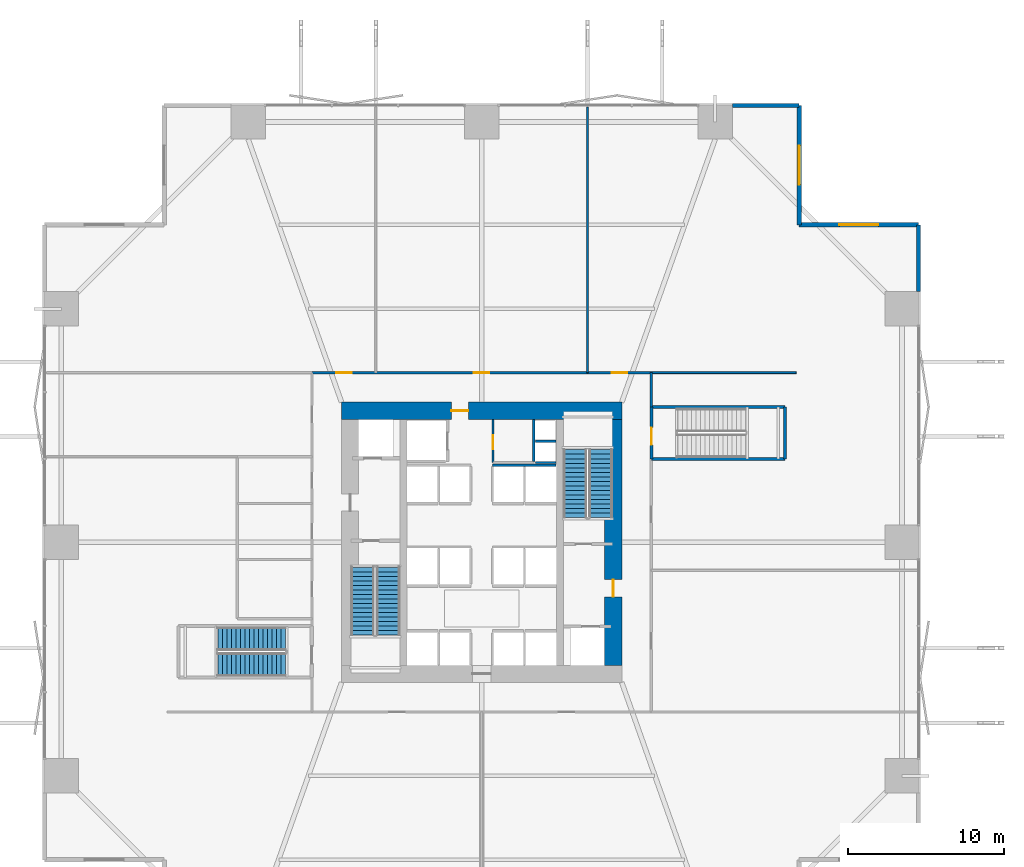
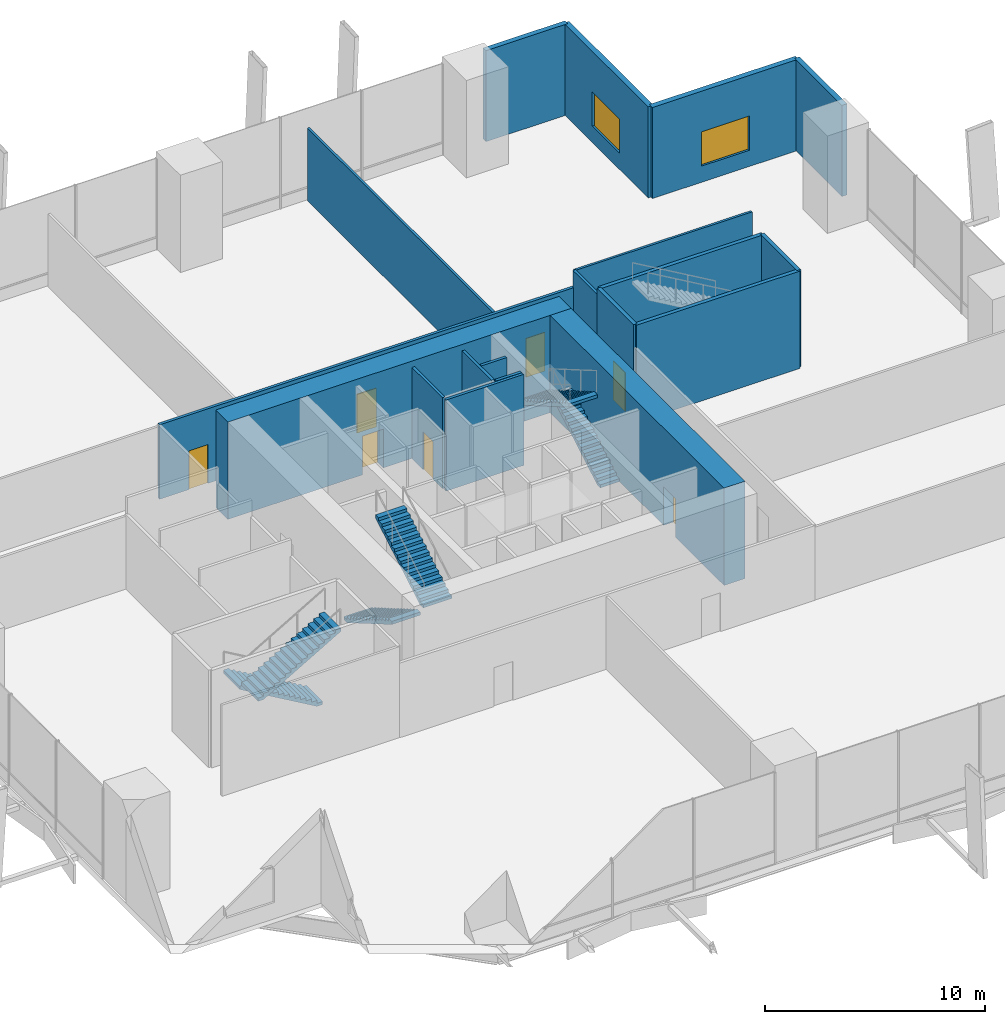
# One storey, part 21 of 24: 19 walls, 7 doors, 6 stair flights, 2 windows, 9 openings, 3 elements without a shape of their own.
"""IFC4 building model written with IfcOpenShell, lengths in metres."""

import ifcopenshell
import ifcopenshell.guid

model = None  # the IFC model being written
_history = None  # IfcOwnerHistory: only IFC2X3 demands one
_inside = {}  # id of a spatial element -> (the spatial element, [elements in it])
_under = {}  # id of a project, library or spatial element -> (it, [spatial elements below it])
_declared = {}  # id of a project -> (the project, [libraries it declares])
_typed = {}  # id of a type object -> (the type object, [elements of that type])
_made_of = {}  # id of a material, layer set ... -> (it, [elements and type objects made of it])


def new_model(schema):
    """Start an empty IFC model of exactly this schema.

    Asked for "IFC4X3", IfcOpenShell would pick the latest addendum, in which some entities
    have other attributes; the version numbers below select the first issue.
    IFC2X3 requires an IfcOwnerHistory on every rooted entity: one is made here for all.
    """
    global model, _history
    if schema == "IFC4X3":
        model = ifcopenshell.file(schema_version=(4, 3, 0, 0))
    else:
        model = ifcopenshell.file(schema=schema)
    _inside.clear()
    _under.clear()
    _declared.clear()
    _typed.clear()
    _made_of.clear()
    _history = None
    if model.schema == "IFC2X3":
        org = make("IfcOrganization", Name="unknown")
        user = make(
            "IfcPersonAndOrganization",
            ThePerson=make("IfcPerson", FamilyName="unknown"),
            TheOrganization=org,
        )
        app = make(
            "IfcApplication",
            ApplicationDeveloper=org,
            Version="unknown",
            ApplicationFullName="unknown",
            ApplicationIdentifier="unknown",
        )
        _history = make(
            "IfcOwnerHistory",
            OwningUser=user,
            OwningApplication=app,
            ChangeAction="ADDED",
            CreationDate=0,
        )
    return model


def make(cls, **values):
    """One entity of the class cls with the attributes given. An attribute that is None is left unset."""
    return model.create_entity(
        cls, **{name: value for name, value in values.items() if value is not None}
    )


def rooted(cls, **values):
    """An entity with a GlobalId (a new one), such as an element, a storey or a relation."""
    return make(cls, GlobalId=ifcopenshell.guid.new(), OwnerHistory=_history, **values)


def si_unit(unit_type, name, prefix=None):
    """IfcSIUnit, for example si_unit("LENGTHUNIT", "METRE", prefix="MILLI")."""
    return make("IfcSIUnit", UnitType=unit_type, Prefix=prefix, Name=name)


def assignment(units):
    """IfcUnitAssignment: the units of a project."""
    return None if units is None else make("IfcUnitAssignment", Units=units)


def point(xyz):
    """IfcCartesianPoint."""
    return None if xyz is None else make("IfcCartesianPoint", Coordinates=xyz)


def direction(xyz):
    """IfcDirection."""
    return None if xyz is None else make("IfcDirection", DirectionRatios=xyz)


def frame(location, z_axis=None, x_axis=None):
    """IfcAxis2Placement3D, a coordinate frame: its origin and axes. An axis left out is left unset."""
    return make(
        "IfcAxis2Placement3D",
        Location=point(location),
        Axis=direction(z_axis),
        RefDirection=direction(x_axis),
    )


def frame_2d(location, x_axis=None):
    """IfcAxis2Placement2D, a coordinate frame in the plane: its origin and x axis."""
    return make(
        "IfcAxis2Placement2D", Location=point(location), RefDirection=direction(x_axis)
    )


def origin():
    """The frame at (0, 0, 0) with its axes left unset."""
    return frame((0.0, 0.0, 0.0))


def place(relative_to, where):
    """IfcLocalPlacement: puts the frame where relative to a parent placement (None: the world)."""
    return make(
        "IfcLocalPlacement", PlacementRelTo=relative_to, RelativePlacement=where
    )


def context(
    kind, dimensions, precision=None, world=None, true_north=None, identifier=None
):
    """IfcGeometricRepresentationContext, for example the 3D "Model" context."""
    return make(
        "IfcGeometricRepresentationContext",
        ContextIdentifier=identifier,
        ContextType=kind,
        CoordinateSpaceDimension=dimensions,
        Precision=precision,
        WorldCoordinateSystem=world,
        TrueNorth=true_north,
    )


def subcontext(parent, identifier, kind, view, scale=None):
    """IfcGeometricRepresentationSubContext, for example "Body" below "Model"."""
    return make(
        "IfcGeometricRepresentationSubContext",
        ContextIdentifier=identifier,
        ContextType=kind,
        ParentContext=parent,
        TargetScale=scale,
        TargetView=view,
    )


def project(units=None, contexts=None):
    """IfcProject with its units and contexts."""
    return rooted(
        "IfcProject",
        Name="project",
        RepresentationContexts=contexts,
        UnitsInContext=assignment(units),
    )


def spatial(cls, under=None, at=None, **own):
    """A site, building, storey or space (cls), placed at a placement, below another one or the project."""
    s = rooted(cls, ObjectPlacement=at, **own)
    if under is not None:
        _under.setdefault(under.id(), (under, []))[1].append(s)
    return s


def polyline(points):
    """IfcPolyline through the points."""
    return make("IfcPolyline", Points=[point(p) for p in points])


def profile(cls, at=None, kind="AREA", **sizes):
    """A parametric profile (cls). Its sizes go by their IFC names, for example OverallWidth=200.0."""
    return make(cls, ProfileType=kind, Position=at, **sizes)


def rectangle(**sizes):
    """IfcRectangleProfileDef."""
    return profile("IfcRectangleProfileDef", **sizes)


def outline(outer, holes=None, kind="AREA"):
    """IfcArbitraryClosedProfileDef: a profile drawn as a closed curve; with holes, ...WithVoids."""
    if holes is None:
        return make("IfcArbitraryClosedProfileDef", ProfileType=kind, OuterCurve=outer)
    return make(
        "IfcArbitraryProfileDefWithVoids",
        ProfileType=kind,
        OuterCurve=outer,
        InnerCurves=holes,
    )


def extrude(swept, where, along, depth):
    """IfcExtrudedAreaSolid: the profile swept, set in the frame where, extruded along a direction by depth."""
    return make(
        "IfcExtrudedAreaSolid",
        SweptArea=swept,
        Position=where,
        ExtrudedDirection=direction(along),
        Depth=depth,
    )


def shape(context_of_items, identifier, shape_type, items):
    """IfcShapeRepresentation: the items that make up one representation, for example the "Body"."""
    return make(
        "IfcShapeRepresentation",
        ContextOfItems=context_of_items,
        RepresentationIdentifier=identifier,
        RepresentationType=shape_type,
        Items=items,
    )


def material(Name=None, Category=None):
    """IfcMaterial."""
    return make("IfcMaterial", Name=Name, Category=Category)


def layer(
    of_material, thickness, ventilated=None, Name=None, Category=None, Priority=None
):
    """IfcMaterialLayer: one layer of a wall or slab, of a material (None: an air gap)."""
    return make(
        "IfcMaterialLayer",
        Material=of_material,
        LayerThickness=thickness,
        IsVentilated=ventilated,
        Name=Name,
        Category=Category,
        Priority=Priority,
    )


def layer_set(layers, Name=None):
    """IfcMaterialLayerSet."""
    return make("IfcMaterialLayerSet", MaterialLayers=layers, LayerSetName=Name)


def made_of(thing, what):
    """Note that an element or type object is made of a material, layer set ...; save() writes the relation."""
    if what is not None:
        _made_of.setdefault(what.id(), (what, []))[1].append(thing)
    return thing


def type_object(cls, material=None, **own):
    """A type object (cls), such as IfcWallType, which elements share."""
    return made_of(rooted(cls, **own), material)


def element(
    cls,
    number,
    at=None,
    inside=None,
    cuts=None,
    type_object=None,
    material=None,
    context=None,
    identifier="Body",
    shape_type=None,
    held_by="IfcProductDefinitionShape",
    body=None,
    shapes=None,
    **own,
):
    """One element of the class cls, such as IfcWall. Its Tag is "e" and its number.

    at: its placement. inside: the storey or other place that contains it. cuts: it is an
    opening in that element (IfcRelVoidsElement). A single representation is given by context,
    identifier, shape_type and body (its items); several are given by shapes. held_by: the class
    of the entity that holds the representations. save() writes the other relations.
    """
    e = rooted(cls, Tag="e%d" % number, ObjectPlacement=at, **own)
    if body is not None:
        shapes = [shape(context, identifier, shape_type, body)]
    if shapes is not None:
        e.Representation = make(held_by, Representations=shapes)
    if inside is not None:
        _inside.setdefault(inside.id(), (inside, []))[1].append(e)
    if cuts is not None:
        rooted(
            "IfcRelVoidsElement", RelatingBuildingElement=cuts, RelatedOpeningElement=e
        )
    if type_object is not None:
        _typed.setdefault(type_object.id(), (type_object, []))[1].append(e)
    return made_of(e, material)


def fill(opening, filler):
    """IfcRelFillsElement: the door or window that sits in an opening."""
    return rooted(
        "IfcRelFillsElement",
        RelatingOpeningElement=opening,
        RelatedBuildingElement=filler,
    )


def aggregate(whole, parts):
    """IfcRelAggregates: a whole, such as a stair, and the parts it consists of."""
    return rooted("IfcRelAggregates", RelatingObject=whole, RelatedObjects=parts)


def save(model, path):
    """Write the relations noted so far, then the file.

    IfcRelAggregates (storeys below a building ...), IfcRelContainedInSpatialStructure (elements
    in a storey), IfcRelDefinesByType, IfcRelAssociatesMaterial and IfcRelDeclares: one each for
    every whole, place, type object, material and project.
    """
    for whole, parts in _under.values():
        aggregate(whole, parts)
    for where, things in _inside.values():
        rooted(
            "IfcRelContainedInSpatialStructure",
            RelatedElements=things,
            RelatingStructure=where,
        )
    for kind, things in _typed.values():
        rooted("IfcRelDefinesByType", RelatedObjects=things, RelatingType=kind)
    for what, things in _made_of.values():
        rooted("IfcRelAssociatesMaterial", RelatedObjects=things, RelatingMaterial=what)
    for by, libraries in _declared.values():
        rooted("IfcRelDeclares", RelatingContext=by, RelatedDefinitions=libraries)
    model.write(path)


model = new_model("IFC4")

# Units and contexts
model_context = context("Model", 3, precision=1e-05, world=origin(), true_north=direction((0.0, 1.0)))
body_context = subcontext(model_context, "Body", "Model", "MODEL_VIEW")
ifc_project = project(units=[si_unit("LENGTHUNIT", "METRE"), si_unit("AREAUNIT", "SQUARE_METRE"), si_unit("VOLUMEUNIT", "CUBIC_METRE"), si_unit("PLANEANGLEUNIT", "RADIAN"), si_unit("MASSUNIT", "GRAM", prefix="KILO")], contexts=[model_context])

# Site, building, storey
site_placement = place(None, origin())
site = spatial("IfcSite", under=ifc_project, at=site_placement, CompositionType="ELEMENT")
building_placement = place(site_placement, origin())
building = spatial("IfcBuilding", under=site, at=building_placement, Name="Belovzor Exchange Tower", CompositionType="ELEMENT")
storey_placement = place(building_placement, frame((0.0, 0.0, 8.39990234375)))
storey = spatial("IfcBuildingStorey", under=building, at=storey_placement, Name="L02", CompositionType="ELEMENT", Elevation=8.39990234375)

# Walls
ifc_material_1 = material(Name="Acoustic Plasterboard on Galvanised Studs", Category="gypsum")
ifc_layer_1 = layer(ifc_material_1, 0.1201171875)
ifc_layer_set_1 = layer_set([ifc_layer_1], Name="Acoustic Plasterboard on Galvanised Studs")
wall_type_1 = type_object("IfcWallType", Name="Acoustic Double-Stud Partition Wall 120", PredefinedType="PARTITIONING", material=ifc_layer_set_1)
wall_1_placement = place(storey_placement, frame((35.60009765625, 39.699951171875, 0.0), z_axis=(0.0, 0.0, 1.0), x_axis=(0.0, 1.0, 0.0)))
element("IfcWall", 1, at=wall_1_placement, inside=storey, type_object=wall_type_1, Name="W-P120 Partition Wall W-L02-ND2", PredefinedType="PARTITIONING", context=body_context, shape_type="SweptSolid", body=[
    extrude(rectangle(XDim=17.050048828125, YDim=0.1201171875, at=frame_2d((8.52490234375, 0.0))), origin(), (0.0, 0.0, 1.0), 4.03515625),
])
wall_2_placement = place(storey_placement, frame((39.699951171875, 39.699951171875, 0.0), z_axis=(0.0, 0.0, 1.0), x_axis=(1.0, 0.0, 0.0)))
element("IfcWall", 2, at=wall_2_placement, inside=storey, type_object=wall_type_1, Name="W-P120 Partition Wall W-L02-OUT-NE", PredefinedType="PARTITIONING", context=body_context, shape_type="SweptSolid", body=[
    extrude(rectangle(XDim=9.300048828125, YDim=0.1201171875, at=frame_2d((4.64990234375, 0.0))), origin(), (0.0, 0.0, 1.0), 5.050048828125),
])

# Wall, opening, door
ifc_material_2 = material(Name="Fire-Rated Gypsum Block and Mineral Wool", Category="gypsum")
ifc_layer_2 = layer(ifc_material_2, 0.14990234375)
ifc_layer_set_2 = layer_set([ifc_layer_2], Name="Fire-Rated Gypsum Block and Mineral Wool")
wall_type_2 = type_object("IfcWallType", Name="Fire-Rated Gypsum Block Corridor Wall 150", PredefinedType="PARTITIONING", material=ifc_layer_set_2)
wall_3_placement = place(storey_placement, frame((29.52490234375, 33.925048828125, 0.0), z_axis=(0.0, 0.0, 1.0), x_axis=(0.0, 1.0, 0.0)))
wall_3 = element("IfcWall", 3, at=wall_3_placement, inside=storey, type_object=wall_type_2, Name="W-P150 Partition Wall W-CRV-L02-W", PredefinedType="PARTITIONING", context=body_context, shape_type="SweptSolid", body=[
    extrude(rectangle(XDim=2.77490234375, YDim=0.14990234375, at=frame_2d((1.387451171875, 0.0))), origin(), (0.0, 0.0, 1.0), 5.050048828125),
])
opening_1_placement = place(wall_3_placement, frame((0.85009765625, 0.0, 0.0)))
opening_1 = element("IfcOpeningElement", 4, at=opening_1_placement, cuts=wall_3, Name="Opening D-FD60-090", PredefinedType="OPENING", context=body_context, shape_type="SweptSolid", body=[
    extrude(rectangle(XDim=0.89990234375, YDim=2.10009765625, at=frame_2d((0.449951171875, 1.050048828125))), frame((0.0, 0.0849609375, 0.0), z_axis=(0.0, -1.0, 0.0), x_axis=(1.0, 0.0, 0.0)), (0.0, 0.0, 1.0), 0.169921875),
])
ifc_material_3 = material(Name="Acoustic Timber Fire Leaf", Category="wood")
door_type_1 = type_object("IfcDoorType", Name="Core Service & Restroom Fire Door 900x2100", OperationType="NOTDEFINED", PredefinedType="DOOR", material=ifc_material_3)
door_1_placement = place(opening_1_placement, origin())
door_1 = element("IfcDoor", 5, at=door_1_placement, inside=storey, type_object=door_type_1, Name="D-FD60-090 Core Service & Restroom Fire Door 900x2100", OperationType="SINGLE_SWING_LEFT", OverallHeight=2.10009765625, OverallWidth=0.89990234375, PredefinedType="DOOR", context=body_context, shape_type="SweptSolid", body=[
    extrude(rectangle(XDim=0.89990234375, YDim=2.10009765625, at=frame_2d((0.449951171875, 1.050048828125))), frame((0.0, 0.02490234375, 0.0), z_axis=(0.0, -1.0, 0.0), x_axis=(1.0, 0.0, 0.0)), (0.0, 0.0, 1.0), 0.050048828125),
])
fill(opening_1, door_1)

# Wall, openings, doors
wall_4_placement = place(storey_placement, frame((17.89990234375, 39.699951171875, 0.0), z_axis=(0.0, 0.0, 1.0), x_axis=(1.0, 0.0, 0.0)))
wall_4 = element("IfcWall", 6, at=wall_4_placement, inside=storey, type_object=wall_type_2, Name="W-P150 Partition Wall W-L02-CN", PredefinedType="PARTITIONING", context=body_context, shape_type="SweptSolid", body=[
    extrude(rectangle(XDim=21.800048828125, YDim=0.14990234375, at=frame_2d((10.89990234375, 0.0))), origin(), (0.0, 0.0, 1.0), 4.135009765625),
])
opening_2_placement = place(wall_4_placement, frame((1.550048828125, 0.0, 0.0)))
opening_2 = element("IfcOpeningElement", 7, at=opening_2_placement, cuts=wall_4, Name="Opening D-FD60-105", PredefinedType="OPENING", context=body_context, shape_type="SweptSolid", body=[
    extrude(rectangle(XDim=1.0, YDim=2.14990234375, at=frame_2d((0.5, 1.074951171875))), frame((0.0, 0.0849609375, 0.0), z_axis=(0.0, -1.0, 0.0), x_axis=(1.0, 0.0, 0.0)), (0.0, 0.0, 1.0), 0.169921875),
])
opening_3_placement = place(wall_4_placement, frame((10.39990234375, 0.0, 0.0)))
opening_3 = element("IfcOpeningElement", 8, at=opening_3_placement, cuts=wall_4, Name="Opening D-FD60-105", PredefinedType="OPENING", context=body_context, shape_type="SweptSolid", body=[
    extrude(rectangle(XDim=1.0, YDim=2.14990234375, at=frame_2d((0.5, 1.074951171875))), frame((0.0, 0.0849609375, 0.0), z_axis=(0.0, -1.0, 0.0), x_axis=(1.0, 0.0, 0.0)), (0.0, 0.0, 1.0), 0.169921875),
])
opening_4_placement = place(wall_4_placement, frame((19.25, 0.0, 0.0)))
opening_4 = element("IfcOpeningElement", 9, at=opening_4_placement, cuts=wall_4, Name="Opening D-FD60-105", PredefinedType="OPENING", context=body_context, shape_type="SweptSolid", body=[
    extrude(rectangle(XDim=1.0, YDim=2.14990234375, at=frame_2d((0.5, 1.074951171875))), frame((0.0, 0.0849609375, 0.0), z_axis=(0.0, -1.0, 0.0), x_axis=(1.0, 0.0, 0.0)), (0.0, 0.0, 1.0), 0.169921875),
])
ifc_material_4 = material(Name="Acoustic Timber Fire Leaf", Category="wood")
door_type_2 = type_object("IfcDoorType", Name="Podium Gallery Acoustic Fire Door 1000x2150", OperationType="NOTDEFINED", PredefinedType="DOOR", material=ifc_material_4)
door_2_placement = place(opening_2_placement, origin())
door_2 = element("IfcDoor", 10, at=door_2_placement, inside=storey, type_object=door_type_2, Name="D-FD60-105 Podium Gallery Acoustic Fire Door 1000x2150", OperationType="SINGLE_SWING_RIGHT", OverallHeight=2.14990234375, OverallWidth=1.0, PredefinedType="DOOR", context=body_context, shape_type="SweptSolid", body=[
    extrude(rectangle(XDim=1.0, YDim=2.14990234375, at=frame_2d((0.5, 1.074951171875))), frame((0.0, 0.02490234375, 0.0), z_axis=(0.0, -1.0, 0.0), x_axis=(1.0, 0.0, 0.0)), (0.0, 0.0, 1.0), 0.050048828125),
])
fill(opening_2, door_2)
door_3_placement = place(opening_3_placement, origin())
door_3 = element("IfcDoor", 11, at=door_3_placement, inside=storey, type_object=door_type_2, Name="D-FD60-105 Podium Gallery Acoustic Fire Door 1000x2150", OperationType="SINGLE_SWING_RIGHT", OverallHeight=2.14990234375, OverallWidth=1.0, PredefinedType="DOOR", context=body_context, shape_type="SweptSolid", body=[
    extrude(rectangle(XDim=1.0, YDim=2.14990234375, at=frame_2d((0.5, 1.074951171875))), frame((0.0, 0.02490234375, 0.0), z_axis=(0.0, -1.0, 0.0), x_axis=(1.0, 0.0, 0.0)), (0.0, 0.0, 1.0), 0.050048828125),
])
fill(opening_3, door_3)
door_4_placement = place(opening_4_placement, origin())
door_4 = element("IfcDoor", 12, at=door_4_placement, inside=storey, type_object=door_type_2, Name="D-FD60-105 Podium Gallery Acoustic Fire Door 1000x2150", OperationType="SINGLE_SWING_RIGHT", OverallHeight=2.14990234375, OverallWidth=1.0, PredefinedType="DOOR", context=body_context, shape_type="SweptSolid", body=[
    extrude(rectangle(XDim=1.0, YDim=2.14990234375, at=frame_2d((0.5, 1.074951171875))), frame((0.0, 0.02490234375, 0.0), z_axis=(0.0, -1.0, 0.0), x_axis=(1.0, 0.0, 0.0)), (0.0, 0.0, 1.0), 0.050048828125),
])
fill(opening_4, door_4)

# Wall
wall_5_placement = place(storey_placement, frame((39.699951171875, 37.5, 0.0), z_axis=(0.0, 0.0, 1.0), x_axis=(0.0, 1.0, 0.0)))
element("IfcWall", 13, at=wall_5_placement, inside=storey, type_object=wall_type_2, Name="W-P150 Partition Wall W-L02-CEN", PredefinedType="PARTITIONING", context=body_context, shape_type="SweptSolid", body=[
    extrude(rectangle(XDim=2.199951171875, YDim=0.14990234375, at=frame_2d((1.10009765625, 0.0))), origin(), (0.0, 0.0, 1.0), 5.050048828125),
])

# Wall, opening, window
ifc_material_5 = material(Name="Precast concrete C40/50", Category="concrete")
ifc_layer_3 = layer(ifc_material_5, 0.280029296875)
ifc_layer_set_3 = layer_set([ifc_layer_3], Name="Precast concrete C40/50")
wall_type_3 = type_object("IfcWallType", Name="Precast Concrete Notched Corner Frame Wall 280", PredefinedType="SOLIDWALL", material=ifc_layer_set_3)
wall_6_placement = place(storey_placement, frame((49.199951171875, 56.8701171875, 0.0), z_axis=(0.0, 0.0, 1.0), x_axis=(0.0, -1.0, 0.0)))
wall_6 = element("IfcWall", 14, at=wall_6_placement, inside=storey, type_object=wall_type_3, Name="W-CRN280 Precast Concrete Notched Corner Frame Wall 280 L02", PredefinedType="SOLIDWALL", context=body_context, shape_type="SweptSolid", body=[
    extrude(rectangle(XDim=7.670166015625, YDim=0.280029296875, at=frame_2d((3.8349609375, 0.0))), origin(), (0.0, 0.0, 1.0), 5.050048828125),
])
opening_5_placement = place(wall_6_placement, frame((2.5849609375, 0.0, 0.89990234375)))
opening_5 = element("IfcOpeningElement", 15, at=opening_5_placement, cuts=wall_6, Name="Opening WN-CRN250", PredefinedType="OPENING", context=body_context, shape_type="SweptSolid", body=[
    extrude(rectangle(XDim=2.5, YDim=1.89990234375, at=frame_2d((1.25, 0.949951171875))), frame((0.0, 0.14990234375, 0.0), z_axis=(0.0, -1.0, 0.0), x_axis=(1.0, 0.0, 0.0)), (0.0, 0.0, 1.0), 0.300048828125),
])
ifc_material_6 = material(Name="Thermally Broken Aluminium and Triple Glazing", Category="aluminium")
window_type = type_object("IfcWindowType", Name="Streamline Moderne Corner Wrap Ribbon Window 2500x1900", PartitioningType="SINGLE_PANEL", PredefinedType="WINDOW", material=ifc_material_6)
window_1_placement = place(opening_5_placement, origin())
window_1 = element("IfcWindow", 16, at=window_1_placement, inside=storey, type_object=window_type, Name="WN-CRN250 Streamline Moderne Corner Wrap Ribbon Window 2500x1900", OverallHeight=1.89990234375, OverallWidth=2.5, PartitioningType="SINGLE_PANEL", PredefinedType="WINDOW", context=body_context, shape_type="SweptSolid", body=[
    extrude(rectangle(XDim=2.5, YDim=1.89990234375, at=frame_2d((1.25, 0.949951171875))), frame((0.0, 0.030029296875, 0.0), z_axis=(0.0, -1.0, 0.0), x_axis=(1.0, 0.0, 0.0)), (0.0, 0.0, 1.0), 0.06005859375),
])
fill(opening_5, window_1)

wall_7_placement = place(storey_placement, frame((49.199951171875, 49.199951171875, 0.0), z_axis=(0.0, 0.0, 1.0), x_axis=(1.0, 0.0, 0.0)))
wall_7 = element("IfcWall", 17, at=wall_7_placement, inside=storey, type_object=wall_type_3, Name="W-CRN280 Precast Concrete Notched Corner Frame Wall 280 L02", PredefinedType="SOLIDWALL", context=body_context, shape_type="SweptSolid", body=[
    extrude(rectangle(XDim=7.670166015625, YDim=0.280029296875, at=frame_2d((3.8349609375, 0.0))), origin(), (0.0, 0.0, 1.0), 5.050048828125),
])
opening_6_placement = place(wall_7_placement, frame((2.5849609375, 0.0, 0.89990234375)))
opening_6 = element("IfcOpeningElement", 18, at=opening_6_placement, cuts=wall_7, Name="Opening WN-CRN250", PredefinedType="OPENING", context=body_context, shape_type="SweptSolid", body=[
    extrude(rectangle(XDim=2.5, YDim=1.89990234375, at=frame_2d((1.25, 0.949951171875))), frame((0.0, 0.14990234375, 0.0), z_axis=(0.0, -1.0, 0.0), x_axis=(1.0, 0.0, 0.0)), (0.0, 0.0, 1.0), 0.300048828125),
])
window_2_placement = place(opening_6_placement, origin())
window_2 = element("IfcWindow", 19, at=window_2_placement, inside=storey, type_object=window_type, Name="WN-CRN250 Streamline Moderne Corner Wrap Ribbon Window 2500x1900", OverallHeight=1.89990234375, OverallWidth=2.5, PartitioningType="SINGLE_PANEL", PredefinedType="WINDOW", context=body_context, shape_type="SweptSolid", body=[
    extrude(rectangle(XDim=2.5, YDim=1.89990234375, at=frame_2d((1.25, 0.949951171875))), frame((0.0, 0.030029296875, 0.0), z_axis=(0.0, -1.0, 0.0), x_axis=(1.0, 0.0, 0.0)), (0.0, 0.0, 1.0), 0.06005859375),
])
fill(opening_6, window_2)

# Walls
ifc_material_7 = material(Name="Precast concrete C40/50", Category="concrete")
ifc_layer_4 = layer(ifc_material_7, 0.260009765625)
ifc_layer_set_4 = layer_set([ifc_layer_4], Name="Precast concrete C40/50")
wall_type_4 = type_object("IfcWallType", Name="Precast Concrete Perimeter Loggia Frame Wall 260", PredefinedType="SOLIDWALL", material=ifc_layer_set_4)
for number, where, z_axis, x_axis, name in (
    (20, (44.89990234375, 56.8701171875, 0.0), (0.0, 0.0, 1.0), (1.0, 0.0, 0.0), "W-EXT260 Precast Concrete Perimeter Loggia Frame Wall 260 L02"),
    (21, (56.8701171875, 49.199951171875, 0.0), (0.0, 0.0, 1.0), (0.0, -1.0, 0.0), "W-EXT260 Precast Concrete Perimeter Loggia Frame Wall 260 L02"),
):
    element("IfcWall", number, at=place(storey_placement, frame(where, z_axis=z_axis, x_axis=x_axis)), inside=storey, type_object=wall_type_4, Name=name, PredefinedType="SOLIDWALL", context=body_context, shape_type="SweptSolid", body=[
        extrude(rectangle(XDim=4.300048828125, YDim=0.260009765625, at=frame_2d((2.14990234375, 0.0))), origin(), (0.0, 0.0, 1.0), 5.050048828125),
    ])
ifc_material_8 = material(Name="Concrete C50/60", Category="concrete")
ifc_layer_5 = layer(ifc_material_8, 0.14990234375)
ifc_layer_set_5 = layer_set([ifc_layer_5], Name="Concrete C50/60")
wall_type_5 = type_object("IfcWallType", Name="Reinforced Concrete Core Riser Shear Wall 150", PredefinedType="SHEAR", material=ifc_layer_set_5)
wall_8_placement = place(storey_placement, frame((32.14990234375, 34.0, 0.0), z_axis=(0.0, 0.0, 1.0), x_axis=(0.0, 1.0, 0.0)))
element("IfcWall", 22, at=wall_8_placement, inside=storey, type_object=wall_type_5, Name="W-C150S Core Shaft Wall W-RSR-L02-E", PredefinedType="SHEAR", context=body_context, shape_type="SweptSolid", body=[
    extrude(rectangle(XDim=2.699951171875, YDim=0.14990234375, at=frame_2d((1.35009765625, 0.0))), origin(), (0.0, 0.0, 1.0), 5.050048828125),
])
for number, where, z_axis, x_axis, name in (
    (23, (32.25, 33.925048828125, 0.0), (0.0, 0.0, 1.0), (1.0, 0.0, 0.0), "W-C150S Core Shaft Wall W-RSR-L02-S"),
    (24, (32.25, 35.300048828125, 0.0), (0.0, 0.0, 1.0), (1.0, 0.0, 0.0), "W-C150S Core Shaft Wall W-RSR-L02-M"),
):
    element("IfcWall", number, at=place(storey_placement, frame(where, z_axis=z_axis, x_axis=x_axis)), inside=storey, type_object=wall_type_5, Name=name, PredefinedType="SHEAR", context=body_context, shape_type="SweptSolid", body=[
        extrude(rectangle(XDim=1.330078125, YDim=0.14990234375, at=frame_2d((0.6650390625, 0.0))), origin(), (0.0, 0.0, 1.0), 5.050048828125),
    ])
wall_9_placement = place(storey_placement, frame((29.5, 33.760009765625, 0.0), z_axis=(0.0, 0.0, 1.0), x_axis=(1.0, 0.0, 0.0)))
element("IfcWall", 25, at=wall_9_placement, inside=storey, type_object=wall_type_5, Name="W-C150S Core Shaft Wall W-SHB-L02-PLH-NE", PredefinedType="SHEAR", context=body_context, shape_type="SweptSolid", body=[
    extrude(rectangle(XDim=4.080078125, YDim=0.14990234375, at=frame_2d((2.0400390625, 0.0))), origin(), (0.0, 0.0, 1.0), 5.050048828125),
])
ifc_material_9 = material(Name="Concrete C50/60", Category="concrete")
ifc_layer_6 = layer(ifc_material_9, 0.199951171875)
ifc_layer_set_6 = layer_set([ifc_layer_6], Name="Concrete C50/60")
wall_type_6 = type_object("IfcWallType", Name="Reinforced Concrete Core Shaft Shear Wall 200", PredefinedType="SHEAR", material=ifc_layer_set_6)
for number, where, z_axis, x_axis, name in (
    (26, (39.715087890625, 34.1650390625, 0.0), (0.0, 0.0, 1.0), (1.0, 0.0, 0.0), "W-C200S Core Shaft Wall W-ST4-L02-S"),
    (27, (39.715087890625, 37.485107421875, 0.0), (0.0, 0.0, 1.0), (1.0, 0.0, 0.0), "W-C200S Core Shaft Wall W-ST4-L02-N"),
):
    element("IfcWall", number, at=place(storey_placement, frame(where, z_axis=z_axis, x_axis=x_axis)), inside=storey, type_object=wall_type_6, Name=name, PredefinedType="SHEAR", context=body_context, shape_type="SweptSolid", body=[
        extrude(rectangle(XDim=8.56982421875, YDim=0.199951171875, at=frame_2d((4.284912109375, 0.0))), origin(), (0.0, 0.0, 1.0), 5.398193359375),
    ])
wall_10_placement = place(storey_placement, frame((48.284912109375, 34.1650390625, 0.0), z_axis=(0.0, 0.0, 1.0), x_axis=(0.0, 1.0, 0.0)))
element("IfcWall", 28, at=wall_10_placement, inside=storey, type_object=wall_type_6, Name="W-C200S Core Shaft Wall W-ST4-L02-E", PredefinedType="SHEAR", context=body_context, shape_type="SweptSolid", body=[
    extrude(rectangle(XDim=3.320068359375, YDim=0.199951171875, at=frame_2d((1.66015625, 0.0))), origin(), (0.0, 0.0, 1.0), 5.398193359375),
])

# Wall, opening, door
wall_11_placement = place(storey_placement, frame((39.715087890625, 34.1650390625, 0.0), z_axis=(0.0, 0.0, 1.0), x_axis=(0.0, 1.0, 0.0)))
wall_11 = element("IfcWall", 29, at=wall_11_placement, inside=storey, type_object=wall_type_6, Name="W-C200S Core Shaft Wall W-ST4-L02-W", PredefinedType="SHEAR", context=body_context, shape_type="SweptSolid", body=[
    extrude(rectangle(XDim=3.320068359375, YDim=0.199951171875, at=frame_2d((1.66015625, 0.0))), origin(), (0.0, 0.0, 1.0), 5.398193359375),
])
opening_7_placement = place(wall_11_placement, frame((0.89990234375, 0.0, 0.0)))
opening_7 = element("IfcOpeningElement", 30, at=opening_7_placement, cuts=wall_11, Name="Opening D-FD90-110", PredefinedType="OPENING", context=body_context, shape_type="SweptSolid", body=[
    extrude(rectangle(XDim=1.10009765625, YDim=2.14990234375, at=frame_2d((0.550048828125, 1.074951171875))), frame((0.0, 0.10986328125, 0.0), z_axis=(0.0, -1.0, 0.0), x_axis=(1.0, 0.0, 0.0)), (0.0, 0.0, 1.0), 0.219970703125),
])
ifc_material_10 = material(Name="Fire-Rated Galvanised Steel Leaf", Category="steel")
door_type_3 = type_object("IfcDoorType", Name="Protected Escape Vestibule Fire Door 1100x2150", OperationType="NOTDEFINED", PredefinedType="DOOR", material=ifc_material_10)
door_5_placement = place(opening_7_placement, origin())
door_5 = element("IfcDoor", 31, at=door_5_placement, inside=storey, type_object=door_type_3, Name="D-FD90-110 Protected Escape Vestibule Fire Door 1100x2150", OperationType="SINGLE_SWING_RIGHT", OverallHeight=2.14990234375, OverallWidth=1.10009765625, PredefinedType="DOOR", context=body_context, shape_type="SweptSolid", body=[
    extrude(rectangle(XDim=1.10009765625, YDim=2.14990234375, at=frame_2d((0.550048828125, 1.074951171875))), frame((0.0, 0.02490234375, 0.0), z_axis=(0.0, -1.0, 0.0), x_axis=(1.0, 0.0, 0.0)), (0.0, 0.0, 1.0), 0.050048828125),
])
fill(opening_7, door_5)

ifc_material_11 = material(Name="Concrete C60/75", Category="concrete")
ifc_layer_7 = layer(ifc_material_11, 1.10009765625)
ifc_layer_set_7 = layer_set([ifc_layer_7], Name="Concrete C60/75")
wall_type_7 = type_object("IfcWallType", Name="Reinforced Concrete Core Shear Wall 1100", PredefinedType="SHEAR", material=ifc_layer_set_7)
wall_12_placement = place(storey_placement, frame((19.800048828125, 37.25, 0.0), z_axis=(0.0, 0.0, 1.0), x_axis=(1.0, 0.0, 0.0)))
wall_12 = element("IfcWall", 32, at=wall_12_placement, inside=storey, type_object=wall_type_7, Name="CW-S110 Core Shear Wall L02 N", PredefinedType="SHEAR", context=body_context, shape_type="SweptSolid", body=[
    extrude(rectangle(XDim=18.0, YDim=1.10009765625, at=frame_2d((9.0, 0.0))), origin(), (0.0, 0.0, 1.0), 5.400146484375),
])
opening_8_placement = place(wall_12_placement, frame((7.050048828125, 0.0, 0.0)))
opening_8 = element("IfcOpeningElement", 33, at=opening_8_placement, cuts=wall_12, Name="Opening D-FD90-110", PredefinedType="OPENING", context=body_context, shape_type="SweptSolid", body=[
    extrude(rectangle(XDim=1.10009765625, YDim=2.14990234375, at=frame_2d((0.550048828125, 1.074951171875))), frame((0.0, 0.56005859375, 0.0), z_axis=(0.0, -1.0, 0.0), x_axis=(1.0, 0.0, 0.0)), (0.0, 0.0, 1.0), 1.1201171875),
])
door_6_placement = place(opening_8_placement, origin())
door_6 = element("IfcDoor", 34, at=door_6_placement, inside=storey, type_object=door_type_3, Name="D-FD90-110 Protected Escape Vestibule Fire Door 1100x2150", OperationType="SINGLE_SWING_RIGHT", OverallHeight=2.14990234375, OverallWidth=1.10009765625, PredefinedType="DOOR", context=body_context, shape_type="SweptSolid", body=[
    extrude(rectangle(XDim=1.10009765625, YDim=2.14990234375, at=frame_2d((0.550048828125, 1.074951171875))), frame((0.0, 0.02490234375, 0.0), z_axis=(0.0, -1.0, 0.0), x_axis=(1.0, 0.0, 0.0)), (0.0, 0.0, 1.0), 0.050048828125),
])
fill(opening_8, door_6)

wall_13_placement = place(storey_placement, frame((37.25, 20.89990234375, 0.0), z_axis=(0.0, 0.0, 1.0), x_axis=(0.0, 1.0, 0.0)))
wall_13 = element("IfcWall", 35, at=wall_13_placement, inside=storey, type_object=wall_type_7, Name="CW-S110 Core Shear Wall L02 E", PredefinedType="SHEAR", context=body_context, shape_type="SweptSolid", body=[
    extrude(rectangle(XDim=15.800048828125, YDim=1.10009765625, at=frame_2d((7.89990234375, 0.0))), origin(), (0.0, 0.0, 1.0), 5.400146484375),
])
opening_9_placement = place(wall_13_placement, frame((4.39990234375, 0.0, 0.0)))
opening_9 = element("IfcOpeningElement", 36, at=opening_9_placement, cuts=wall_13, Name="Opening D-FD90-110", PredefinedType="OPENING", context=body_context, shape_type="SweptSolid", body=[
    extrude(rectangle(XDim=1.10009765625, YDim=2.14990234375, at=frame_2d((0.550048828125, 1.074951171875))), frame((0.0, 0.56005859375, 0.0), z_axis=(0.0, -1.0, 0.0), x_axis=(1.0, 0.0, 0.0)), (0.0, 0.0, 1.0), 1.1201171875),
])
door_7_placement = place(opening_9_placement, origin())
door_7 = element("IfcDoor", 37, at=door_7_placement, inside=storey, type_object=door_type_3, Name="D-FD90-110 Protected Escape Vestibule Fire Door 1100x2150", OperationType="SINGLE_SWING_RIGHT", OverallHeight=2.14990234375, OverallWidth=1.10009765625, PredefinedType="DOOR", context=body_context, shape_type="SweptSolid", body=[
    extrude(rectangle(XDim=1.10009765625, YDim=2.14990234375, at=frame_2d((0.550048828125, 1.074951171875))), frame((0.0, 0.02490234375, 0.0), z_axis=(0.0, -1.0, 0.0), x_axis=(1.0, 0.0, 0.0)), (0.0, 0.0, 1.0), 0.050048828125),
])
fill(opening_9, door_7)

# Stair, stair flights
ifc_material_12 = material(Name="Concrete C40/50", Category="concrete")
stair_type_1 = type_object("IfcStairType", Name="Reinforced Concrete Podium Escape Stair 1400", PredefinedType="HALF_TURN_STAIR", material=ifc_material_12)
stair_1_placement = place(storey_placement, origin())
stair_1 = element("IfcStair", 38, at=stair_1_placement, inside=storey, type_object=stair_type_1, Name="L02 ST-3", PredefinedType="HALF_TURN_STAIR")
ifc_material_13 = material(Name="Concrete C40/50", Category="concrete")
stair_flight_type_1 = type_object("IfcStairFlightType", Name="Reinforced Concrete Podium Stair Flight 1400", PredefinedType="STRAIGHT", material=ifc_material_13)
stair_flight_1_placement = place(storey_placement, frame((16.199951171875, 22.60009765625, 0.0), z_axis=(0.0, 0.0, 1.0), x_axis=(-1.0, 0.0, 0.0)))
stair_flight_1 = element("IfcStairFlight", 39, at=stair_flight_1_placement, type_object=stair_flight_type_1, Name="ST-3 flight 1", NumberOfRisers=16, NumberOfTreads=15, PredefinedType="STRAIGHT", RiserHeight=0.16875, TreadLength=0.29, context=body_context, shape_type="SweptSolid", body=[
    extrude(outline(polyline([(0.0, 0.0), (0.0, 0.168701171875), (0.2900390625, 0.168701171875), (0.2900390625, 0.33740234375), (0.580078125, 0.33740234375), (0.580078125, 0.50634765625), (0.8701171875, 0.50634765625), (0.8701171875, 0.675048828125), (1.159912109375, 0.675048828125), (1.159912109375, 0.84375), (1.449951171875, 0.84375), (1.449951171875, 1.012451171875), (1.739990234375, 1.012451171875), (1.739990234375, 1.18115234375), (2.030029296875, 1.18115234375), (2.030029296875, 1.35009765625), (2.320068359375, 1.35009765625), (2.320068359375, 1.518798828125), (2.610107421875, 1.518798828125), (2.610107421875, 1.6875), (2.89990234375, 1.6875), (2.89990234375, 1.856201171875), (3.18994140625, 1.856201171875), (3.18994140625, 2.02490234375), (3.47998046875, 2.02490234375), (3.47998046875, 2.19384765625), (3.77001953125, 2.19384765625), (3.77001953125, 2.362548828125), (4.06005859375, 2.362548828125), (4.06005859375, 2.53125), (4.35009765625, 2.53125), (4.35009765625, 2.699951171875), (4.35009765625, 2.35791015625), (0.298095703125, 0.0), (0.0, 0.0)])), frame((0.0, 0.75, 0.0), z_axis=(0.0, -1.0, 0.0), x_axis=(1.0, 0.0, 0.0)), (0.0, 0.0, 1.0), 1.5),
])
stair_flight_2_placement = place(storey_placement, frame((11.85009765625, 20.949951171875, 2.7001953125), z_axis=(0.0, 0.0, 1.0), x_axis=(1.0, 0.0, 0.0)))
stair_flight_2 = element("IfcStairFlight", 40, at=stair_flight_2_placement, type_object=stair_flight_type_1, Name="ST-3 flight 2", NumberOfRisers=16, NumberOfTreads=15, PredefinedType="STRAIGHT", RiserHeight=0.16875, TreadLength=0.29, context=body_context, shape_type="SweptSolid", body=[
    extrude(outline(polyline([(0.0, 0.0), (0.0, 0.168701171875), (0.2900390625, 0.168701171875), (0.2900390625, 0.33740234375), (0.580078125, 0.33740234375), (0.580078125, 0.50634765625), (0.8701171875, 0.50634765625), (0.8701171875, 0.675048828125), (1.159912109375, 0.675048828125), (1.159912109375, 0.84375), (1.449951171875, 0.84375), (1.449951171875, 1.012451171875), (1.739990234375, 1.012451171875), (1.739990234375, 1.18115234375), (2.030029296875, 1.18115234375), (2.030029296875, 1.35009765625), (2.320068359375, 1.35009765625), (2.320068359375, 1.518798828125), (2.610107421875, 1.518798828125), (2.610107421875, 1.6875), (2.89990234375, 1.6875), (2.89990234375, 1.856201171875), (3.18994140625, 1.856201171875), (3.18994140625, 2.02490234375), (3.47998046875, 2.02490234375), (3.47998046875, 2.19384765625), (3.77001953125, 2.19384765625), (3.77001953125, 2.362548828125), (4.06005859375, 2.362548828125), (4.06005859375, 2.53125), (4.35009765625, 2.53125), (4.35009765625, 2.699951171875), (4.35009765625, 2.35791015625), (0.298095703125, 0.0), (0.0, 0.0)])), frame((0.0, 0.75, 0.0), z_axis=(0.0, -1.0, 0.0), x_axis=(1.0, 0.0, 0.0)), (0.0, 0.0, 1.0), 1.5),
])
aggregate(stair_1, [stair_flight_1, stair_flight_2])

ifc_material_14 = material(Name="Concrete C40/50", Category="concrete")
stair_type_2 = type_object("IfcStairType", Name="Reinforced Concrete Dogleg Escape Stair 1350", PredefinedType="HALF_TURN_STAIR", material=ifc_material_14)
stair_2_placement = place(storey_placement, origin())
stair_2 = element("IfcStair", 41, at=stair_2_placement, inside=storey, type_object=stair_type_2, Name="L02 ST-1", PredefinedType="HALF_TURN_STAIR")
ifc_material_15 = material(Name="Concrete C40/50", Category="concrete")
stair_flight_type_2 = type_object("IfcStairFlightType", Name="Reinforced Concrete Stair Flight 1350", PredefinedType="STRAIGHT", material=ifc_material_15)
stair_flight_3_placement = place(storey_placement, frame((21.14990234375, 27.199951171875, 0.0), z_axis=(0.0, 0.0, 1.0), x_axis=(0.0, -1.0, 0.0)))
stair_flight_3 = element("IfcStairFlight", 42, at=stair_flight_3_placement, type_object=stair_flight_type_2, Name="ST-1 flight 1", NumberOfRisers=16, NumberOfTreads=15, PredefinedType="STRAIGHT", RiserHeight=0.16875, TreadLength=0.29, context=body_context, shape_type="SweptSolid", body=[
    extrude(outline(polyline([(0.0, 0.0), (0.0, 0.168701171875), (0.2900390625, 0.168701171875), (0.2900390625, 0.33740234375), (0.580078125, 0.33740234375), (0.580078125, 0.50634765625), (0.8701171875, 0.50634765625), (0.8701171875, 0.675048828125), (1.159912109375, 0.675048828125), (1.159912109375, 0.84375), (1.449951171875, 0.84375), (1.449951171875, 1.012451171875), (1.739990234375, 1.012451171875), (1.739990234375, 1.18115234375), (2.030029296875, 1.18115234375), (2.030029296875, 1.35009765625), (2.320068359375, 1.35009765625), (2.320068359375, 1.518798828125), (2.610107421875, 1.518798828125), (2.610107421875, 1.6875), (2.89990234375, 1.6875), (2.89990234375, 1.856201171875), (3.18994140625, 1.856201171875), (3.18994140625, 2.02490234375), (3.47998046875, 2.02490234375), (3.47998046875, 2.19384765625), (3.77001953125, 2.19384765625), (3.77001953125, 2.362548828125), (4.06005859375, 2.362548828125), (4.06005859375, 2.53125), (4.35009765625, 2.53125), (4.35009765625, 2.699951171875), (4.35009765625, 2.35791015625), (0.298095703125, 0.0), (0.0, 0.0)])), frame((0.0, 0.75, 0.0), z_axis=(0.0, -1.0, 0.0), x_axis=(1.0, 0.0, 0.0)), (0.0, 0.0, 1.0), 1.5),
])
stair_flight_4_placement = place(storey_placement, frame((22.800048828125, 22.85009765625, 2.7001953125), z_axis=(0.0, 0.0, 1.0), x_axis=(0.0, 1.0, 0.0)))
stair_flight_4 = element("IfcStairFlight", 43, at=stair_flight_4_placement, type_object=stair_flight_type_2, Name="ST-1 flight 2", NumberOfRisers=16, NumberOfTreads=15, PredefinedType="STRAIGHT", RiserHeight=0.16875, TreadLength=0.29, context=body_context, shape_type="SweptSolid", body=[
    extrude(outline(polyline([(0.0, 0.0), (0.0, 0.168701171875), (0.2900390625, 0.168701171875), (0.2900390625, 0.33740234375), (0.580078125, 0.33740234375), (0.580078125, 0.50634765625), (0.8701171875, 0.50634765625), (0.8701171875, 0.675048828125), (1.159912109375, 0.675048828125), (1.159912109375, 0.84375), (1.449951171875, 0.84375), (1.449951171875, 1.012451171875), (1.739990234375, 1.012451171875), (1.739990234375, 1.18115234375), (2.030029296875, 1.18115234375), (2.030029296875, 1.35009765625), (2.320068359375, 1.35009765625), (2.320068359375, 1.518798828125), (2.610107421875, 1.518798828125), (2.610107421875, 1.6875), (2.89990234375, 1.6875), (2.89990234375, 1.856201171875), (3.18994140625, 1.856201171875), (3.18994140625, 2.02490234375), (3.47998046875, 2.02490234375), (3.47998046875, 2.19384765625), (3.77001953125, 2.19384765625), (3.77001953125, 2.362548828125), (4.06005859375, 2.362548828125), (4.06005859375, 2.53125), (4.35009765625, 2.53125), (4.35009765625, 2.699951171875), (4.35009765625, 2.35791015625), (0.298095703125, 0.0), (0.0, 0.0)])), frame((0.0, 0.75, 0.0), z_axis=(0.0, -1.0, 0.0), x_axis=(1.0, 0.0, 0.0)), (0.0, 0.0, 1.0), 1.5),
])
aggregate(stair_2, [stair_flight_3, stair_flight_4])

stair_3_placement = place(storey_placement, origin())
stair_3 = element("IfcStair", 44, at=stair_3_placement, inside=storey, type_object=stair_type_2, Name="L02 ST-2", PredefinedType="HALF_TURN_STAIR")
stair_flight_5_placement = place(storey_placement, frame((36.449951171875, 30.39990234375, 0.0), z_axis=(0.0, 0.0, 1.0), x_axis=(0.0, 1.0, 0.0)))
stair_flight_5 = element("IfcStairFlight", 45, at=stair_flight_5_placement, type_object=stair_flight_type_2, Name="ST-2 flight 1", NumberOfRisers=16, NumberOfTreads=15, PredefinedType="STRAIGHT", RiserHeight=0.16875, TreadLength=0.29, context=body_context, shape_type="SweptSolid", body=[
    extrude(outline(polyline([(0.0, 0.0), (0.0, 0.168701171875), (0.2900390625, 0.168701171875), (0.2900390625, 0.33740234375), (0.580078125, 0.33740234375), (0.580078125, 0.50634765625), (0.8701171875, 0.50634765625), (0.8701171875, 0.675048828125), (1.159912109375, 0.675048828125), (1.159912109375, 0.84375), (1.449951171875, 0.84375), (1.449951171875, 1.012451171875), (1.739990234375, 1.012451171875), (1.739990234375, 1.18115234375), (2.030029296875, 1.18115234375), (2.030029296875, 1.35009765625), (2.320068359375, 1.35009765625), (2.320068359375, 1.518798828125), (2.610107421875, 1.518798828125), (2.610107421875, 1.6875), (2.89990234375, 1.6875), (2.89990234375, 1.856201171875), (3.18994140625, 1.856201171875), (3.18994140625, 2.02490234375), (3.47998046875, 2.02490234375), (3.47998046875, 2.19384765625), (3.77001953125, 2.19384765625), (3.77001953125, 2.362548828125), (4.06005859375, 2.362548828125), (4.06005859375, 2.53125), (4.35009765625, 2.53125), (4.35009765625, 2.699951171875), (4.35009765625, 2.35791015625), (0.298095703125, 0.0), (0.0, 0.0)])), frame((0.0, 0.75, 0.0), z_axis=(0.0, -1.0, 0.0), x_axis=(1.0, 0.0, 0.0)), (0.0, 0.0, 1.0), 1.5),
])
stair_flight_6_placement = place(storey_placement, frame((34.800048828125, 34.75, 2.7001953125), z_axis=(0.0, 0.0, 1.0), x_axis=(0.0, -1.0, 0.0)))
stair_flight_6 = element("IfcStairFlight", 46, at=stair_flight_6_placement, type_object=stair_flight_type_2, Name="ST-2 flight 2", NumberOfRisers=16, NumberOfTreads=15, PredefinedType="STRAIGHT", RiserHeight=0.16875, TreadLength=0.29, context=body_context, shape_type="SweptSolid", body=[
    extrude(outline(polyline([(0.0, 0.0), (0.0, 0.168701171875), (0.2900390625, 0.168701171875), (0.2900390625, 0.33740234375), (0.580078125, 0.33740234375), (0.580078125, 0.50634765625), (0.8701171875, 0.50634765625), (0.8701171875, 0.675048828125), (1.159912109375, 0.675048828125), (1.159912109375, 0.84375), (1.449951171875, 0.84375), (1.449951171875, 1.012451171875), (1.739990234375, 1.012451171875), (1.739990234375, 1.18115234375), (2.030029296875, 1.18115234375), (2.030029296875, 1.35009765625), (2.320068359375, 1.35009765625), (2.320068359375, 1.518798828125), (2.610107421875, 1.518798828125), (2.610107421875, 1.6875), (2.89990234375, 1.6875), (2.89990234375, 1.856201171875), (3.18994140625, 1.856201171875), (3.18994140625, 2.02490234375), (3.47998046875, 2.02490234375), (3.47998046875, 2.19384765625), (3.77001953125, 2.19384765625), (3.77001953125, 2.362548828125), (4.06005859375, 2.362548828125), (4.06005859375, 2.53125), (4.35009765625, 2.53125), (4.35009765625, 2.699951171875), (4.35009765625, 2.35791015625), (0.298095703125, 0.0), (0.0, 0.0)])), frame((0.0, 0.75, 0.0), z_axis=(0.0, -1.0, 0.0), x_axis=(1.0, 0.0, 0.0)), (0.0, 0.0, 1.0), 1.5),
])
aggregate(stair_3, [stair_flight_5, stair_flight_6])

save(model, "model.ifc")
